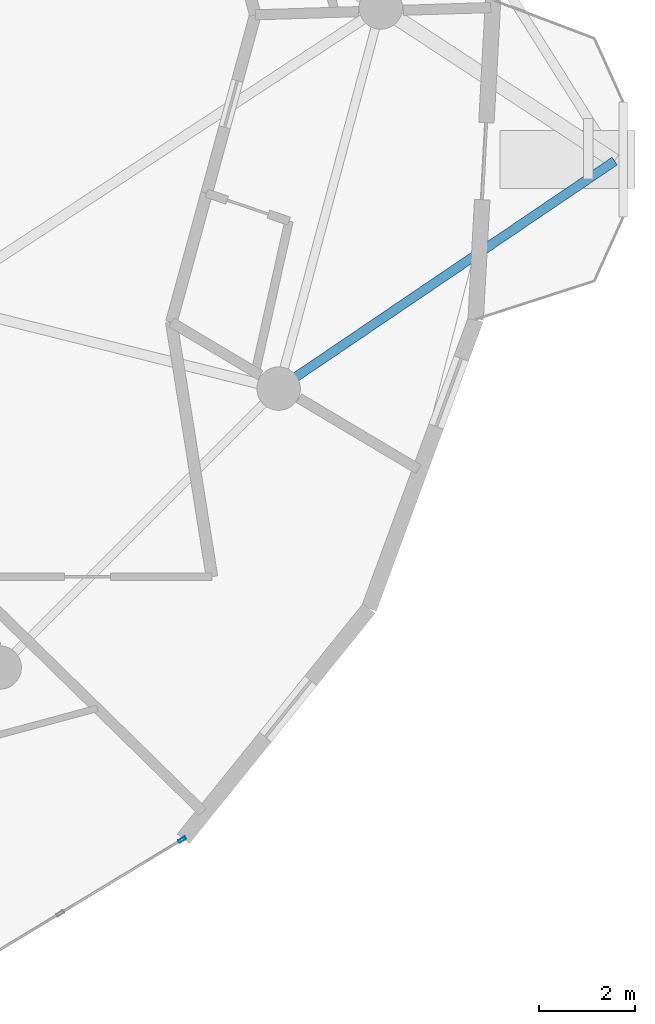
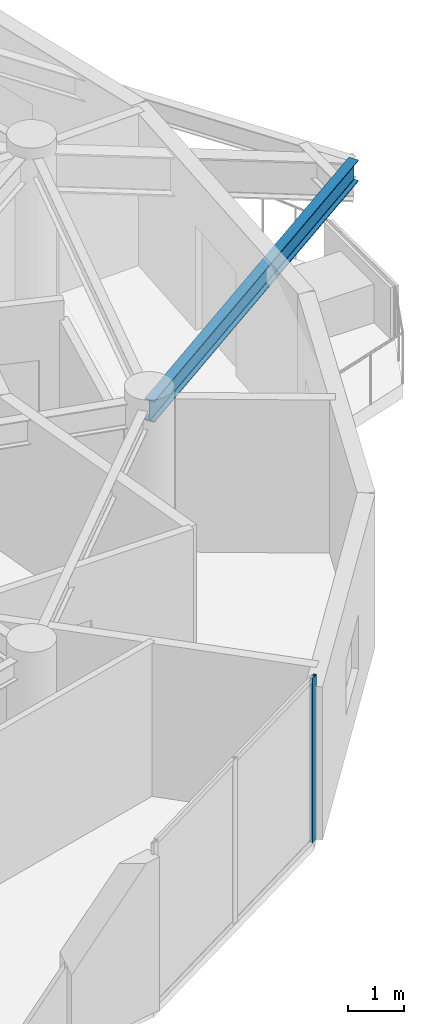
# One storey, part 11 of 21: 1 beam, 1 member, 1 element without a shape of its own.
"""IFC4 building model written with IfcOpenShell, lengths in metres."""

from ifc_helpers import new_model, si_unit, direction, frame, origin, origin_2d, place, context, subcontext, project, spatial, hollow_rectangle, i_section, extrude, source, transform, mapped, material, layer, layer_set, material_profile, profile_set, type_object, element, aggregate, save


model = new_model("IFC4")

# Units and contexts
model_context = context("Model", 3, precision=1e-05, world=origin(), true_north=direction((0.0, 1.0)))
body_context = subcontext(model_context, "Body", "Model", "MODEL_VIEW")
ifc_project = project(units=[si_unit("LENGTHUNIT", "METRE"), si_unit("AREAUNIT", "SQUARE_METRE"), si_unit("VOLUMEUNIT", "CUBIC_METRE"), si_unit("PLANEANGLEUNIT", "RADIAN"), si_unit("MASSUNIT", "GRAM", prefix="KILO")], contexts=[model_context])

# Site, building, storey
site_placement = place(None, origin())
site = spatial("IfcSite", under=ifc_project, at=site_placement, CompositionType="ELEMENT")
building_placement = place(site_placement, origin())
building = spatial("IfcBuilding", under=site, at=building_placement, Name="Solvirekh Grand Hotel", CompositionType="ELEMENT")
storey_placement = place(building_placement, frame((0.0, 0.0, 216.39990234375)))
storey = spatial("IfcBuildingStorey", under=building, at=storey_placement, Name="L56", CompositionType="ELEMENT", Elevation=216.39990234375)

# Beam
ifc_material_1 = material(Name="Steel S355", Category="steel")
ifc_material_profile_1 = material_profile(ifc_material_1, i_section(OverallWidth=0.194091796875, OverallDepth=0.468994140625, WebThickness=0.010986328125, FlangeThickness=0.01904296875, FilletRadius=0.012939453125, at=origin_2d()), Name="W460X106")
ifc_profile_set_1 = profile_set([ifc_material_profile_1], Name="Steel S355")
beam_type = type_object("IfcBeamType", Name="Beam_Radial_W460H", PredefinedType="BEAM", material=ifc_profile_set_1)
beam_placement = place(storey_placement, frame((13.68310546875, -7.89990234375, 3.05615234375), z_axis=(0.827943461262, 0.560811577051, 0.0), x_axis=(-0.560811577051, 0.827943461262, 0.0)))
element("IfcBeam", 1, at=beam_placement, inside=storey, type_object=beam_type, Name="L57 sky-garden edge tie beam 1", PredefinedType="BEAM", context=body_context, shape_type="SweptSolid", body=[
    extrude(i_section(OverallWidth=0.194091796875, OverallDepth=0.468994140625, WebThickness=0.010986328125, FlangeThickness=0.01904296875, FilletRadius=0.012939453125, at=origin_2d()), origin(), (0.0, 0.0, 1.0), 8.41455078125),
])

# Curtain wall, member
ifc_material_2 = material(Name="Anodized Bronze Aluminium 6063-T6", Category="aluminium")
ifc_layer = layer(ifc_material_2, 0.159912109375)
ifc_layer_set = layer_set([ifc_layer], Name="Anodized Bronze Aluminium 6063-T6")
curtain_wall_type = type_object("IfcCurtainWallType", Name="CW_Sys4_HighZoneFlushBronzeCW", PredefinedType="NOTDEFINED", material=ifc_layer_set)
curtain_wall_placement = place(storey_placement, origin())
curtain_wall = element("IfcCurtainWall", 2, at=curtain_wall_placement, inside=storey, type_object=curtain_wall_type, Name="L56 unitised bronze-glass curtain wall CW-L56-C01", PredefinedType="NOTDEFINED")
ifc_material_profile_2 = material_profile(ifc_material_2, hollow_rectangle(XDim=0.06005859375, YDim=0.159912109375, WallThickness=0.0048828125, at=origin_2d()), Name="ALU RHS 160X60X5")
ifc_profile_set_2 = profile_set([ifc_material_profile_2], Name="Anodized Bronze Aluminium 6063-T6")
member_type = type_object("IfcMemberType", Name="CWMullion_Sys4", PredefinedType="MULLION", material=ifc_profile_set_2)
shared_shape = source(origin(), body_context, "Body", "SweptSolid", [
    extrude(hollow_rectangle(XDim=0.06005859375, YDim=0.159912109375, WallThickness=0.0048828125, at=origin_2d()), origin(), (0.0, 0.0, 1.0), 3.60009765625),
])
member_placement = place(storey_placement, frame((11.682373046875, -17.24951171875, 0.0), z_axis=(0.0, 0.0, 1.0), x_axis=(-0.517499245993, 0.855683662575, 0.0)))
member = element("IfcMember", 3, at=member_placement, type_object=member_type, Name="U04 mullion 3", PredefinedType="MULLION", context=body_context, shape_type="MappedRepresentation", body=[
    mapped(shared_shape, transform((0.0, 0.0, 0.0), x_axis=(1.0, 0.0, 0.0), y_axis=(0.0, 1.0, 0.0), z_axis=(0.0, 0.0, 1.0), scale=1.0)),
])
aggregate(curtain_wall, [member])

save(model, "model.ifc")
